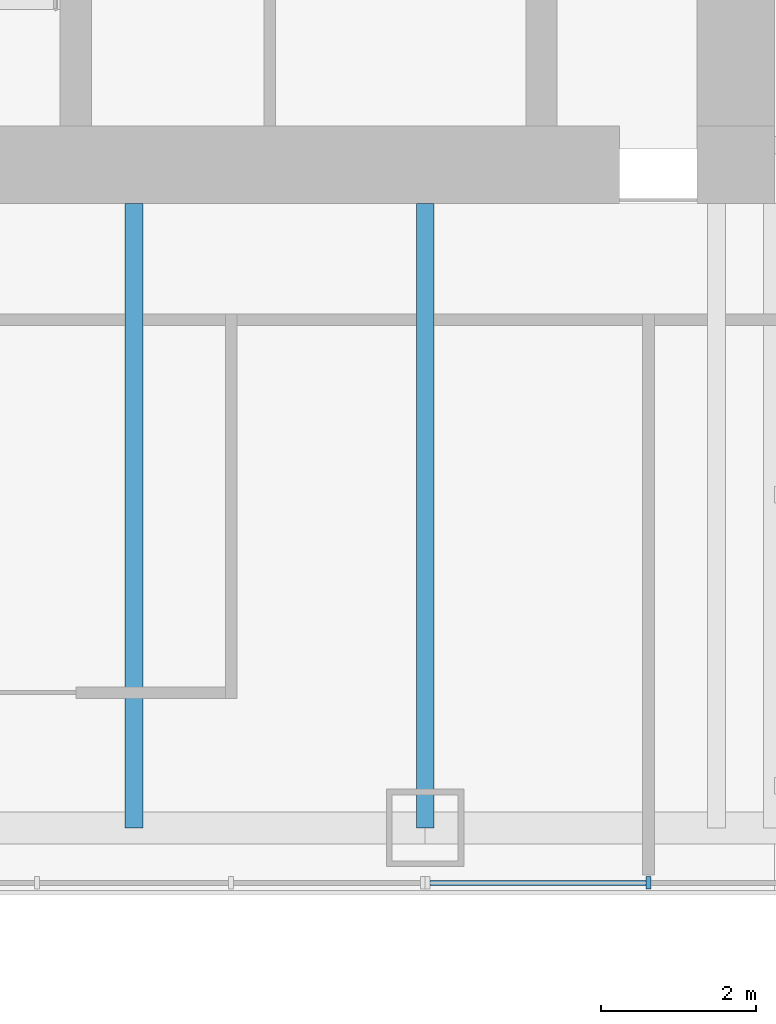
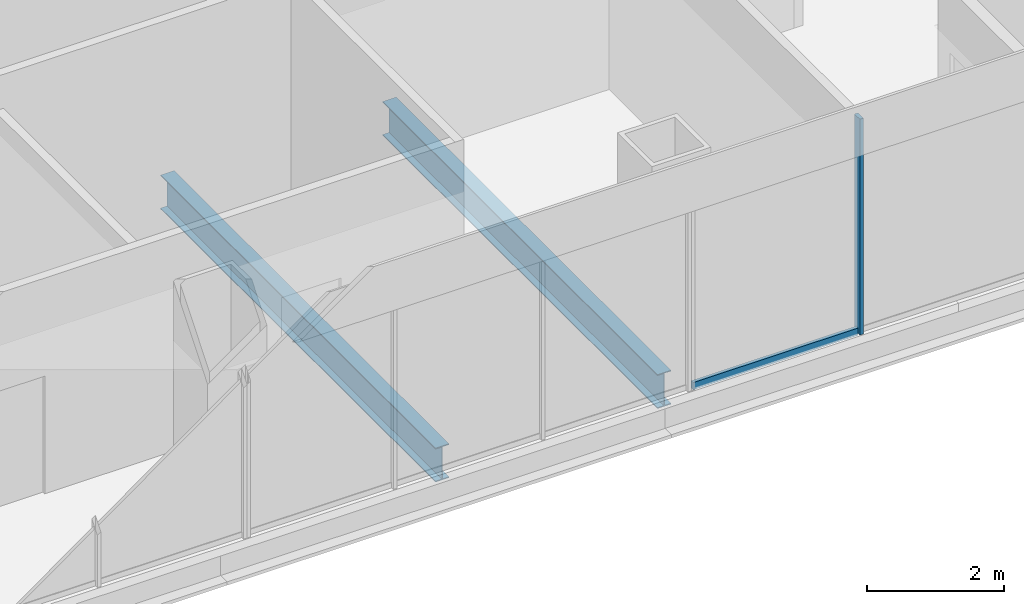
# One storey, part 3 of 14: 2 beams, 2 members, 1 element without a shape of its own.
"""IFC4 building model written with IfcOpenShell, lengths in metres."""

from ifc_helpers import new_model, si_unit, direction, frame, origin, origin_2d, place, context, subcontext, project, spatial, rectangle, i_section, extrude, material, material_profile, profile_set, type_object, element, aggregate, save


model = new_model("IFC4")

# Units and contexts
model_context = context("Model", 3, precision=1e-05, world=origin(), true_north=direction((0.0, 1.0)))
body_context = subcontext(model_context, "Body", "Model", "MODEL_VIEW")
ifc_project = project(units=[si_unit("LENGTHUNIT", "METRE"), si_unit("AREAUNIT", "SQUARE_METRE"), si_unit("VOLUMEUNIT", "CUBIC_METRE"), si_unit("PLANEANGLEUNIT", "RADIAN"), si_unit("MASSUNIT", "GRAM", prefix="KILO")], contexts=[model_context])

# Site, building, storey
site_placement = place(None, origin())
site = spatial("IfcSite", under=ifc_project, at=site_placement, CompositionType="ELEMENT")
building_placement = place(site_placement, origin())
building = spatial("IfcBuilding", under=site, at=building_placement, Name="Tarangal Relay Tower", CompositionType="ELEMENT")
storey_placement = place(building_placement, frame((0.0, 0.0, 291.89990234375)))
storey = spatial("IfcBuildingStorey", under=building, at=storey_placement, Name="L64", CompositionType="ELEMENT", Elevation=291.89990234375)

# Beams
ifc_material_1 = material(Name="Steel ASTM A992", Category="steel")
ifc_material_profile_1 = material_profile(ifc_material_1, i_section(OverallWidth=0.228271484375, OverallDepth=0.607177734375, WebThickness=0.01123046875, FlangeThickness=0.017333984375, at=origin_2d()), Name="W24X76")
ifc_profile_set_1 = profile_set([ifc_material_profile_1], Name="Steel ASTM A992")
beam_type = type_object("IfcBeamType", Name="Floor beam W24X76", PredefinedType="BEAM", material=ifc_profile_set_1)
for number, where, z_axis, x_axis, name in (
    (1, (7.5, -12.0, -0.453369140625), (0.0, -1.0, 0.0), (1.0, 0.0, 0.0), "Floor beam RB5 S L64"),
    (2, (3.75, -12.0, -0.453369140625), (0.0, -1.0, 0.0), (1.0, 0.0, 0.0), "Floor beam RB5 S L64"),
):
    element("IfcBeam", number, at=place(storey_placement, frame(where, z_axis=z_axis, x_axis=x_axis)), inside=storey, type_object=beam_type, Name=name, PredefinedType="BEAM", context=body_context, shape_type="SweptSolid", body=[
        extrude(i_section(OverallWidth=0.228271484375, OverallDepth=0.607177734375, WebThickness=0.01123046875, FlangeThickness=0.017333984375, at=origin_2d()), origin(), (0.0, 0.0, 1.0), 8.0400390625),
    ])

# Curtain wall, members
ifc_material_2 = material(Name="Unitised curtain wall, dark glass and black aluminium", Category="aluminium")
curtain_wall_type = type_object("IfcCurtainWallType", Name="Curtain wall CW-B", PredefinedType="USERDEFINED", material=ifc_material_2)
curtain_wall_placement = place(storey_placement, origin())
curtain_wall = element("IfcCurtainWall", 3, at=curtain_wall_placement, inside=storey, type_object=curtain_wall_type, Name="Curtain wall CW-B S facade L64", ObjectType="UNITISED CURTAIN WALL", PredefinedType="USERDEFINED")
ifc_material_3 = material(Name="Black anodised aluminium mullion", Category="aluminium")
ifc_material_profile_2 = material_profile(ifc_material_3, rectangle(XDim=0.159912109375, YDim=0.06005859375, at=origin_2d()), Name="CW-BM 60X160")
ifc_profile_set_2 = profile_set([ifc_material_profile_2], Name="Black anodised aluminium mullion")
member_type_1 = type_object("IfcMemberType", Name="Mullion CW-B 60 x 160", PredefinedType="MULLION", material=ifc_profile_set_2)
member_1_placement = place(storey_placement, frame((10.375, -20.75, 0.0), z_axis=(0.0, 0.0, 1.0), x_axis=(0.0, -1.0, 0.0)))
member_1 = element("IfcMember", 4, at=member_1_placement, type_object=member_type_1, Name="CW-B mullion 2", PredefinedType="MULLION", context=body_context, shape_type="SweptSolid", body=[
    extrude(rectangle(XDim=0.159912109375, YDim=0.06005859375, at=origin_2d()), origin(), (0.0, 0.0, 1.0), 3.85009765625),
])
ifc_material_4 = material(Name="Black anodised aluminium transom", Category="aluminium")
ifc_material_profile_3 = material_profile(ifc_material_4, rectangle(XDim=0.06005859375, YDim=0.1298828125, at=origin_2d()), Name="CW-BT 60X130")
ifc_profile_set_3 = profile_set([ifc_material_profile_3], Name="Black anodised aluminium transom")
member_type_2 = type_object("IfcMemberType", Name="Transom CW-B 60 x 130", PredefinedType="USERDEFINED", material=ifc_profile_set_3)
member_2_placement = place(storey_placement, frame((10.344970703125, -20.75, 0.030029296875), z_axis=(-1.0, 0.0, 0.0), x_axis=(0.0, -1.0, 0.0)))
member_2 = element("IfcMember", 5, at=member_2_placement, type_object=member_type_2, Name="CW-B transom 2.1", ObjectType="TRANSOM", PredefinedType="USERDEFINED", context=body_context, shape_type="SweptSolid", body=[
    extrude(rectangle(XDim=0.06005859375, YDim=0.1298828125, at=origin_2d()), origin(), (0.0, 0.0, 1.0), 2.784912109375),
])
aggregate(curtain_wall, [member_1, member_2])

save(model, "model.ifc")
